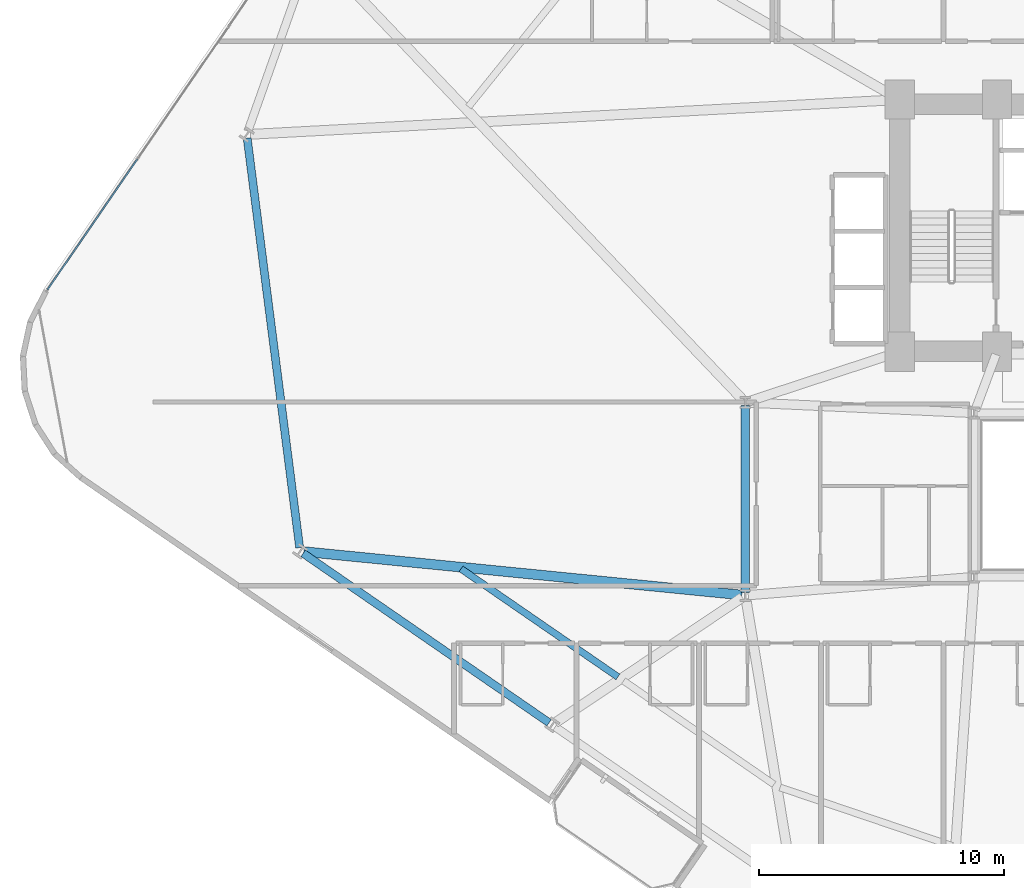
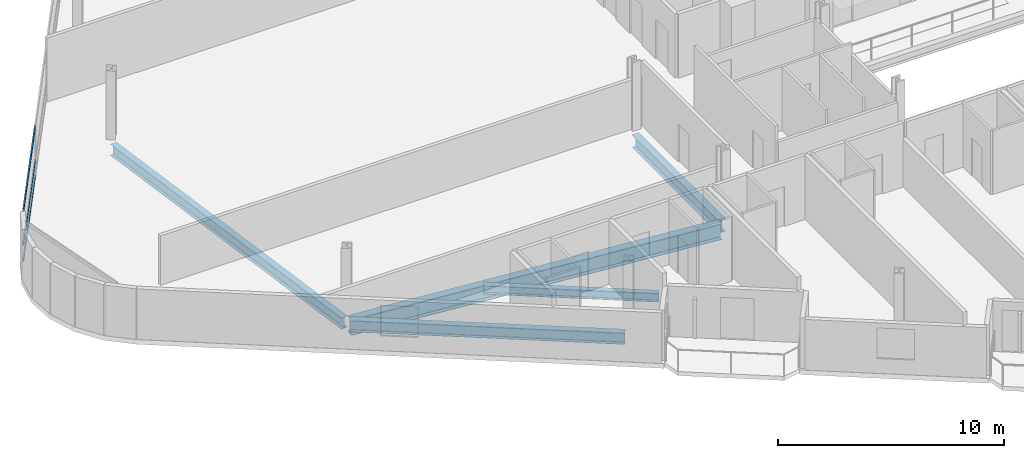
# One storey, part 5 of 27: 5 beams, 3 members, 1 element without a shape of its own.
"""IFC4 building model written with IfcOpenShell, lengths in metres."""

from ifc_helpers import new_model, si_unit, direction, frame, origin, origin_2d, place, context, subcontext, project, spatial, hollow_rectangle, i_section, extrude, material, layer, layer_set, material_profile, profile_set, type_object, element, aggregate, save


model = new_model("IFC4")

# Units and contexts
model_context = context("Model", 3, precision=1e-05, world=origin(), true_north=direction((0.0, 1.0)))
body_context = subcontext(model_context, "Body", "Model", "MODEL_VIEW")
ifc_project = project(units=[si_unit("LENGTHUNIT", "METRE"), si_unit("AREAUNIT", "SQUARE_METRE"), si_unit("VOLUMEUNIT", "CUBIC_METRE"), si_unit("PLANEANGLEUNIT", "RADIAN"), si_unit("MASSUNIT", "GRAM", prefix="KILO")], contexts=[model_context])

# Site, building, storey
site_placement = place(None, origin())
site = spatial("IfcSite", under=ifc_project, at=site_placement, CompositionType="ELEMENT")
building_placement = place(site_placement, origin())
building = spatial("IfcBuilding", under=site, at=building_placement, Name="Varnelok Gate Tower", CompositionType="ELEMENT")
storey_placement = place(building_placement, frame((0.0, 0.0, 30.699951171875)))
storey = spatial("IfcBuildingStorey", under=building, at=storey_placement, Name="L06", CompositionType="ELEMENT", Elevation=30.699951171875)

# Beams
ifc_material_1 = material(Name="Structural Steel ASTM A992 Grade 50", Category="steel")
ifc_material_profile_1 = material_profile(ifc_material_1, i_section(OverallWidth=0.280029296875, OverallDepth=0.462890625, WebThickness=0.0107421875, FlangeThickness=0.017333984375, FilletRadius=0.014892578125, at=origin_2d()), Name="W18X76")
ifc_profile_set_1 = profile_set([ifc_material_profile_1], Name="Structural Steel ASTM A992 Grade 50")
beam_type_1 = type_object("IfcBeamType", Name="BM-JST-W18X76", PredefinedType="JOIST", material=ifc_profile_set_1)
beam_1_placement = place(storey_placement, frame((12.78564453125, 19.88330078125, -0.4814453125), z_axis=(0.823532677522, -0.567268833141, 0.0), x_axis=(0.567268833141, 0.823532677522, 0.0)))
element("IfcBeam", 1, at=beam_1_placement, inside=storey, type_object=beam_type_1, Name="L06 Sector Floor Joist 1", PredefinedType="JOIST", context=body_context, shape_type="SweptSolid", body=[
    extrude(i_section(OverallWidth=0.280029296875, OverallDepth=0.462890625, WebThickness=0.0107421875, FlangeThickness=0.017333984375, FilletRadius=0.014892578125, at=origin_2d()), origin(), (0.0, 0.0, 1.0), 7.782470703125),
])
ifc_material_profile_2 = material_profile(ifc_material_1, i_section(OverallWidth=0.35498046875, OverallDepth=0.696044921875, WebThickness=0.015380859375, FlangeThickness=0.02490234375, FilletRadius=0.02001953125, at=origin_2d()), Name="W27X146")
ifc_profile_set_2 = profile_set([ifc_material_profile_2], Name="Structural Steel ASTM A992 Grade 50")
beam_type_2 = type_object("IfcBeamType", Name="BM-PRI-W27X146", PredefinedType="BEAM", material=ifc_profile_set_2)
beam_2_placement = place(storey_placement, frame((24.39990234375, 18.919921875, -0.597900390625), z_axis=(0.0, 1.0, 0.0), x_axis=(-1.0, 0.0, 0.0)))
element("IfcBeam", 2, at=beam_2_placement, inside=storey, type_object=beam_type_2, Name="L06 Core-Atrium Spine Beam 16", PredefinedType="BEAM", context=body_context, shape_type="SweptSolid", body=[
    extrude(i_section(OverallWidth=0.35498046875, OverallDepth=0.696044921875, WebThickness=0.015380859375, FlangeThickness=0.02490234375, FilletRadius=0.02001953125, at=origin_2d()), origin(), (0.0, 0.0, 1.0), 7.64013671875),
])
ifc_material_profile_3 = material_profile(ifc_material_1, i_section(OverallWidth=0.39892578125, OverallDepth=0.85498046875, WebThickness=0.018310546875, FlangeThickness=0.029296875, FilletRadius=0.02392578125, at=origin_2d()), Name="W33X201")
ifc_profile_set_3 = profile_set([ifc_material_profile_3], Name="Structural Steel ASTM A992 Grade 50")
beam_type_3 = type_object("IfcBeamType", Name="BM-PRI-W33X201", PredefinedType="BEAM", material=ifc_profile_set_3)
beam_3_placement = place(storey_placement, frame((24.250732421875, 18.814697265625, -0.677490234375), z_axis=(-0.995122218733, 0.098649732815, 0.0), x_axis=(-0.098649732815, -0.995122218733, 0.0)))
element("IfcBeam", 3, at=beam_3_placement, inside=storey, type_object=beam_type_3, Name="L06 Radial Floor Girder 1", PredefinedType="BEAM", context=body_context, shape_type="SweptSolid", body=[
    extrude(i_section(OverallWidth=0.39892578125, OverallDepth=0.85498046875, WebThickness=0.018310546875, FlangeThickness=0.029296875, FilletRadius=0.02392578125, at=origin_2d()), origin(), (0.0, 0.0, 1.0), 17.974609375),
])
ifc_material_profile_4 = material_profile(ifc_material_1, i_section(OverallWidth=0.323974609375, OverallDepth=0.611083984375, WebThickness=0.0126953125, FlangeThickness=0.01904296875, FilletRadius=0.01806640625, at=origin_2d()), Name="W24X104")
ifc_profile_set_4 = profile_set([ifc_material_profile_4], Name="Structural Steel ASTM A992 Grade 50")
beam_type_4 = type_object("IfcBeamType", Name="BM-SPN-W24X104", PredefinedType="SPANDREL", material=ifc_profile_set_4)
beam_4_placement = place(storey_placement, frame((6.337890625, 20.517578125, -0.555419921875), z_axis=(0.823540632156, -0.567257284826, 0.0), x_axis=(0.567257284826, 0.823540632156, 0.0)))
element("IfcBeam", 4, at=beam_4_placement, inside=storey, type_object=beam_type_4, Name="L06 Perimeter Spandrel Beam 1", PredefinedType="SPANDREL", context=body_context, shape_type="SweptSolid", body=[
    extrude(i_section(OverallWidth=0.323974609375, OverallDepth=0.611083984375, WebThickness=0.0126953125, FlangeThickness=0.01904296875, FilletRadius=0.01806640625, at=origin_2d()), origin(), (0.0, 0.0, 1.0), 12.2001953125),
])
beam_5_placement = place(storey_placement, frame((4.05224609375, 37.47509765625, -0.555419921875), z_axis=(0.127106601297, -0.991889062298, 0.0), x_axis=(0.991889062298, 0.127106601297, 0.0)))
element("IfcBeam", 5, at=beam_5_placement, inside=storey, type_object=beam_type_4, Name="L06 Perimeter Spandrel Beam 16", PredefinedType="SPANDREL", context=body_context, shape_type="SweptSolid", body=[
    extrude(i_section(OverallWidth=0.323974609375, OverallDepth=0.611083984375, WebThickness=0.0126953125, FlangeThickness=0.01904296875, FilletRadius=0.01806640625, at=origin_2d()), origin(), (0.0, 0.0, 1.0), 16.8603515625),
])

# Curtain wall, members
ifc_material_2 = material(Name="Anodized Aluminum Alloy 6063-T6", Category="aluminium")
ifc_layer = layer(ifc_material_2, 0.179931640625)
ifc_layer_set = layer_set([ifc_layer], Name="Anodized Aluminum Alloy 6063-T6")
curtain_wall_type = type_object("IfcCurtainWallType", Name="CW3-HOTEL-VISION", PredefinedType="USERDEFINED", material=ifc_layer_set)
curtain_wall_placement = place(storey_placement, origin())
curtain_wall = element("IfcCurtainWall", 6, at=curtain_wall_placement, inside=storey, type_object=curtain_wall_type, Name="L06 West End Vision Curtain Wall", ObjectType="UNITISED CURTAIN WALL", PredefinedType="USERDEFINED")
ifc_material_profile_5 = material_profile(ifc_material_2, hollow_rectangle(XDim=0.06494140625, YDim=0.159912109375, WallThickness=0.00390625, at=origin_2d()), Name="ALU160X65X4")
ifc_profile_set_5 = profile_set([ifc_material_profile_5], Name="Anodized Aluminum Alloy 6063-T6")
member_type = type_object("IfcMemberType", Name="CW-TRAN-160", PredefinedType="USERDEFINED", material=ifc_profile_set_5)
member_1_placement = place(storey_placement, frame((-4.10546875, 31.287353515625, 0.032470703125), z_axis=(0.567255754851, 0.823541686006, 0.0), x_axis=(-0.823541686006, 0.567255754851, 0.0)))
member_1 = element("IfcMember", 7, at=member_1_placement, type_object=member_type, Name="CW3 transom 1.1", ObjectType="TRANSOM", PredefinedType="USERDEFINED", context=body_context, shape_type="SweptSolid", body=[
    extrude(hollow_rectangle(XDim=0.06494140625, YDim=0.159912109375, WallThickness=0.00390625, at=origin_2d()), origin(), (0.0, 0.0, 1.0), 6.46923828125),
])
member_2_placement = place(storey_placement, frame((-4.10546875, 31.287353515625, 0.900146484375), z_axis=(0.567255754851, 0.823541686006, 0.0), x_axis=(-0.823541686006, 0.567255754851, 0.0)))
member_2 = element("IfcMember", 8, at=member_2_placement, type_object=member_type, Name="CW3 transom 1.2", ObjectType="TRANSOM", PredefinedType="USERDEFINED", context=body_context, shape_type="SweptSolid", body=[
    extrude(hollow_rectangle(XDim=0.06494140625, YDim=0.159912109375, WallThickness=0.00390625, at=origin_2d()), origin(), (0.0, 0.0, 1.0), 6.46923828125),
])
member_3_placement = place(storey_placement, frame((-4.10546875, 31.287353515625, 2.697509765625), z_axis=(0.567255754851, 0.823541686006, 0.0), x_axis=(-0.823541686006, 0.567255754851, 0.0)))
member_3 = element("IfcMember", 9, at=member_3_placement, type_object=member_type, Name="CW3 transom 1.3", ObjectType="TRANSOM", PredefinedType="USERDEFINED", context=body_context, shape_type="SweptSolid", body=[
    extrude(hollow_rectangle(XDim=0.06494140625, YDim=0.159912109375, WallThickness=0.00390625, at=origin_2d()), origin(), (0.0, 0.0, 1.0), 6.46923828125),
])
aggregate(curtain_wall, [member_1, member_2, member_3])

save(model, "model.ifc")
